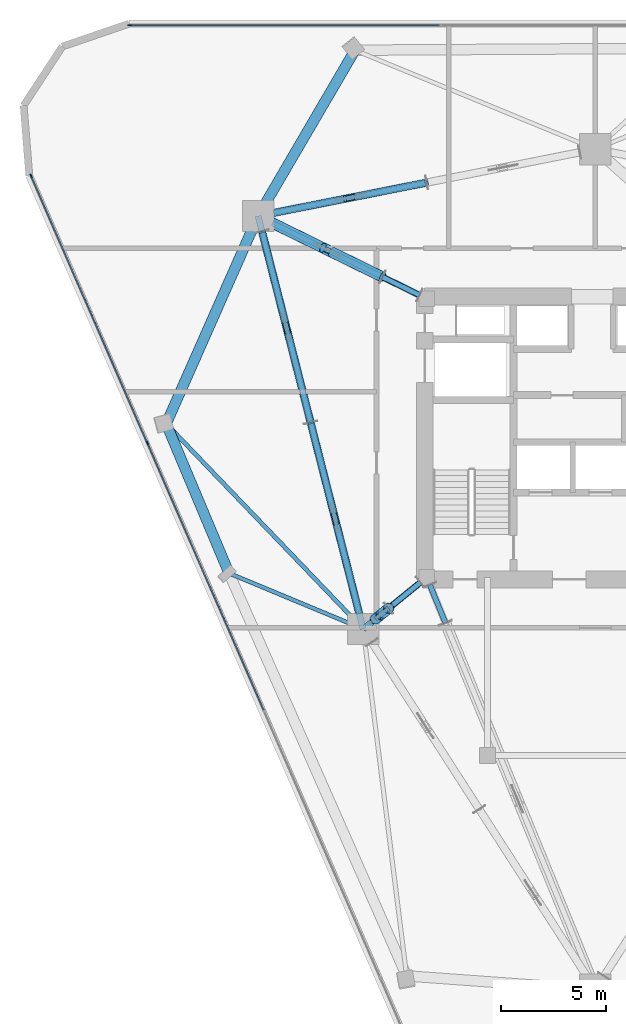
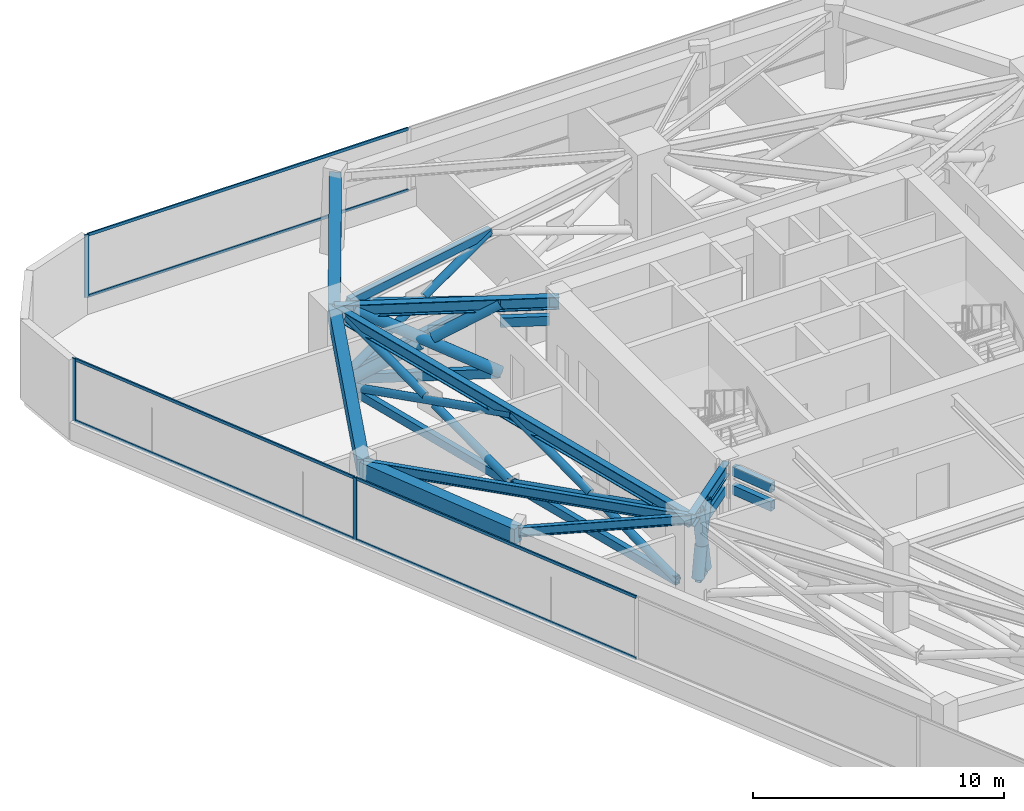
# One storey, part 5 of 13: 40 members, 8 beams, 2 elements without a shape of their own.
"""IFC4 building model written with IfcOpenShell, lengths in metres."""

from ifc_helpers import new_model, si_unit, direction, frame, origin, origin_2d, place, context, subcontext, project, spatial, rectangle, hollow_rectangle, hollow_circle, i_section, extrude, material, layer, layer_set, material_profile, profile_set, type_object, element, aggregate, save


model = new_model("IFC4")

# Units and contexts
model_context = context("Model", 3, precision=1e-05, world=origin(), true_north=direction((0.0, 1.0)))
body_context = subcontext(model_context, "Body", "Model", "MODEL_VIEW")
ifc_project = project(units=[si_unit("LENGTHUNIT", "METRE"), si_unit("AREAUNIT", "SQUARE_METRE"), si_unit("VOLUMEUNIT", "CUBIC_METRE"), si_unit("PLANEANGLEUNIT", "RADIAN"), si_unit("MASSUNIT", "GRAM", prefix="KILO")], contexts=[model_context])

# Site, building, storey
site_placement = place(None, origin())
site = spatial("IfcSite", under=ifc_project, at=site_placement, CompositionType="ELEMENT")
building_placement = place(site_placement, origin())
building = spatial("IfcBuilding", under=site, at=building_placement, Name="Talyreon Biosciences Tower", CompositionType="ELEMENT")
storey_placement = place(building_placement, frame((0.0, 0.0, 171.0)))
storey = spatial("IfcBuildingStorey", under=building, at=storey_placement, Name="L45", CompositionType="ELEMENT", Elevation=171.0)

# Members
ifc_material_1 = material(Name="Steel SM355", Category="steel")
ifc_material_profile_1 = material_profile(ifc_material_1, hollow_circle(Radius=0.177734375, WallThickness=0.01416015625, at=origin_2d()), Name="CHS 355.6x14.2")
ifc_profile_set_1 = profile_set([ifc_material_profile_1], Name="Steel SM355")
member_type_1 = type_object("IfcMemberType", Name="BeltBrace_CHS355", PredefinedType="BRACE", material=ifc_profile_set_1)
member_1_placement = place(storey_placement, frame((57.94873046875, 80.19384765625, 0.239990234375), z_axis=(-0.894142944015, -0.177161259025, 0.411244798105), x_axis=(0.194357006894, -0.980930860903, 0.0)))
element("IfcMember", 1, at=member_1_placement, inside=storey, type_object=member_type_1, Name="L45 Continuous Diagonal BELT-L45-B4S2A", PredefinedType="BRACE", context=body_context, shape_type="SweptSolid", body=[
    extrude(hollow_circle(Radius=0.177734375, WallThickness=0.01416015625, at=origin_2d()), origin(), (0.0, 0.0, 1.0), 8.170654296875),
])
for number, where, z_axis, x_axis, name in (
    (2, (50.64306640625, 78.746337890625, 0.239990234375), (0.894135908253, 0.177146185612, 0.41126658811), (-0.194342566468, 0.98093372195, 0.0), "L45 Split Diagonal BELT-L45-B4S2B-Lower"),
    (3, (54.54638671875, 79.519775390625, 2.03515625), (0.894135908253, 0.177146185612, 0.41126658811), (-0.194342566468, 0.98093372195, 0.0), "L45 Split Diagonal BELT-L45-B4S2B-Upper"),
):
    element("IfcMember", number, at=place(storey_placement, frame(where, z_axis=z_axis, x_axis=x_axis)), inside=storey, type_object=member_type_1, Name=name, PredefinedType="BRACE", context=body_context, shape_type="SweptSolid", body=[
        extrude(hollow_circle(Radius=0.177734375, WallThickness=0.01416015625, at=origin_2d()), origin(), (0.0, 0.0, 1.0), 3.80517578125),
    ])
member_2_placement = place(storey_placement, frame((50.0849609375, 77.8623046875, 0.239990234375), z_axis=(0.232193918339, -0.912727766311, 0.336175562602), x_axis=(0.96913188456, 0.246542877262, 0.0)))
element("IfcMember", 4, at=member_2_placement, inside=storey, type_object=member_type_1, Name="L45 Continuous Diagonal BELT-L45-B5S1A", PredefinedType="BRACE", context=body_context, shape_type="SweptSolid", body=[
    extrude(hollow_circle(Radius=0.177734375, WallThickness=0.01416015625, at=origin_2d()), origin(), (0.0, 0.0, 1.0), 9.9951171875),
])
for number, where, z_axis, x_axis, name in (
    (5, (52.40576171875, 68.739501953125, 0.239990234375), (-0.232205149796, 0.912726148197, 0.336172198145), (-0.969128930664, -0.246554488399, 0.0), "L45 Split Diagonal BELT-L45-B5S1B-Lower"),
    (6, (51.180419921875, 73.556396484375, 2.01416015625), (-0.232205149796, 0.912726148197, 0.336172198145), (-0.969128930664, -0.246554488399, 0.0), "L45 Split Diagonal BELT-L45-B5S1B-Upper"),
):
    element("IfcMember", number, at=place(storey_placement, frame(where, z_axis=z_axis, x_axis=x_axis)), inside=storey, type_object=member_type_1, Name=name, PredefinedType="BRACE", context=body_context, shape_type="SweptSolid", body=[
        extrude(hollow_circle(Radius=0.177734375, WallThickness=0.01416015625, at=origin_2d()), origin(), (0.0, 0.0, 1.0), 4.717529296875),
    ])
member_3_placement = place(storey_placement, frame((52.40576171875, 68.739501953125, 0.239990234375), z_axis=(0.232175985263, -0.912728865371, 0.336184964248), x_axis=(0.969136504924, 0.246524714428, 0.0)))
element("IfcMember", 7, at=member_3_placement, inside=storey, type_object=member_type_1, Name="L45 Continuous Diagonal BELT-L45-B5S2A", PredefinedType="BRACE", context=body_context, shape_type="SweptSolid", body=[
    extrude(hollow_circle(Radius=0.177734375, WallThickness=0.01416015625, at=origin_2d()), origin(), (0.0, 0.0, 1.0), 9.994873046875),
])
member_4_placement = place(storey_placement, frame((54.726318359375, 59.616943359375, 0.239990234375), z_axis=(-0.232167155057, 0.912728476724, 0.336192117532), x_axis=(-0.96913871987, -0.24651600688, 0.0)))
element("IfcMember", 8, at=member_4_placement, inside=storey, type_object=member_type_1, Name="L45 Split Diagonal BELT-L45-B5S2B-Lower", PredefinedType="BRACE", context=body_context, shape_type="SweptSolid", body=[
    extrude(hollow_circle(Radius=0.177734375, WallThickness=0.01416015625, at=origin_2d()), origin(), (0.0, 0.0, 1.0), 4.71728515625),
])
member_5_placement = place(storey_placement, frame((53.501220703125, 64.433837890625, 2.01416015625), z_axis=(-0.23221611828, 0.912717508799, 0.336188077634), x_axis=(-0.969125590119, -0.24656761867, 0.0)))
element("IfcMember", 9, at=member_5_placement, inside=storey, type_object=member_type_1, Name="L45 Split Diagonal BELT-L45-B5S2B-Upper", PredefinedType="BRACE", context=body_context, shape_type="SweptSolid", body=[
    extrude(hollow_circle(Radius=0.177734375, WallThickness=0.01416015625, at=origin_2d()), origin(), (0.0, 0.0, 1.0), 4.717529296875),
])
ifc_material_profile_2 = material_profile(ifc_material_1, hollow_rectangle(XDim=0.25, YDim=0.39990234375, WallThickness=0.01611328125, at=origin_2d()), Name="RHS 400x250x16")
ifc_profile_set_2 = profile_set([ifc_material_profile_2], Name="Steel SM355")
member_type_2 = type_object("IfcMemberType", Name="BeltChord_RHS400x250", PredefinedType="CHORD", material=ifc_profile_set_2)
for number, where, z_axis, x_axis, name in (
    (10, (57.94873046875, 80.19384765625, 0.239990234375), (-0.980930860903, -0.194357006894, 0.0), (0.194357006894, -0.980930860903, 0.0), "L45 Truss Bottom Chord BELT-L45-B4S2"),
    (11, (57.94873046875, 80.19384765625, 3.60009765625), (-0.980930860903, -0.194357006894, 0.0), (0.194357006894, -0.980930860903, 0.0), "L45 Truss Top Chord BELT-L45-B4S2"),
):
    element("IfcMember", number, at=place(storey_placement, frame(where, z_axis=z_axis, x_axis=x_axis)), inside=storey, type_object=member_type_2, Name=name, PredefinedType="CHORD", context=body_context, shape_type="SweptSolid", body=[
        extrude(hollow_rectangle(XDim=0.25, YDim=0.39990234375, WallThickness=0.01611328125, at=origin_2d()), origin(), (0.0, 0.0, 1.0), 7.44775390625),
    ])
for number, where, z_axis, x_axis, name in (
    (12, (50.0849609375, 77.8623046875, 0.239990234375), (0.246542877262, -0.96913188456, 0.0), (0.96913188456, 0.246542877262, 0.0), "L45 Truss Bottom Chord BELT-L45-B5S1"),
    (13, (50.0849609375, 77.8623046875, 3.60009765625), (0.246542877262, -0.96913188456, 0.0), (0.96913188456, 0.246542877262, 0.0), "L45 Truss Top Chord BELT-L45-B5S1"),
):
    element("IfcMember", number, at=place(storey_placement, frame(where, z_axis=z_axis, x_axis=x_axis)), inside=storey, type_object=member_type_2, Name=name, PredefinedType="CHORD", context=body_context, shape_type="SweptSolid", body=[
        extrude(hollow_rectangle(XDim=0.25, YDim=0.39990234375, WallThickness=0.01611328125, at=origin_2d()), origin(), (0.0, 0.0, 1.0), 9.413330078125),
    ])
for number, where, z_axis, x_axis, name in (
    (14, (52.40576171875, 68.739501953125, 0.239990234375), (0.246524714428, -0.969136504924, 0.0), (0.969136504924, 0.246524714428, 0.0), "L45 Truss Bottom Chord BELT-L45-B5S2"),
    (15, (52.40576171875, 68.739501953125, 3.60009765625), (0.246524714428, -0.969136504924, 0.0), (0.969136504924, 0.246524714428, 0.0), "L45 Truss Top Chord BELT-L45-B5S2"),
):
    element("IfcMember", number, at=place(storey_placement, frame(where, z_axis=z_axis, x_axis=x_axis)), inside=storey, type_object=member_type_2, Name=name, PredefinedType="CHORD", context=body_context, shape_type="SweptSolid", body=[
        extrude(hollow_rectangle(XDim=0.25, YDim=0.39990234375, WallThickness=0.01611328125, at=origin_2d()), origin(), (0.0, 0.0, 1.0), 9.4130859375),
    ])

# Curtain wall, members
ifc_material_2 = material(Name="Thermally broken aluminium and low-E glazing", Category="aluminium")
ifc_layer = layer(ifc_material_2, 0.18505859375)
ifc_layer_set = layer_set([ifc_layer], Name="Thermally broken aluminium and low-E glazing")
curtain_wall_type = type_object("IfcCurtainWallType", Name="CurtainWall_Zone3Bioprocess", PredefinedType="NOTDEFINED", material=ifc_layer_set)
curtain_wall_1_placement = place(storey_placement, origin())
curtain_wall_1 = element("IfcCurtainWall", 16, at=curtain_wall_1_placement, inside=storey, type_object=curtain_wall_type, Name="L45 Unitised Curtain Wall FCW-L45-00", PredefinedType="NOTDEFINED")
ifc_material_3 = material(Name="Anodised thermally broken aluminium", Category="aluminium")
ifc_material_profile_3 = material_profile(ifc_material_3, rectangle(XDim=0.06494140625, YDim=0.179931640625, at=origin_2d()), Name="ALUM MULLION 65x180")
ifc_profile_set_3 = profile_set([ifc_material_profile_3], Name="Anodised thermally broken aluminium")
member_type_3 = type_object("IfcMemberType", Name="CWMullion_65x180", PredefinedType="MULLION", material=ifc_profile_set_3)
member_6_placement = place(storey_placement, frame((44.609619140625, 67.762939453125, 0.81005859375), z_axis=(0.0, 0.0, 1.0), x_axis=(-0.916820215501, -0.399300253505, 0.0)))
member_6 = element("IfcMember", 17, at=member_6_placement, type_object=member_type_3, Name="CW4 mullion 4", PredefinedType="MULLION", context=body_context, shape_type="SweptSolid", body=[
    extrude(rectangle(XDim=0.06494140625, YDim=0.179931640625, at=origin_2d()), origin(), (0.0, 0.0, 1.0), 3.0400390625),
])
member_7_placement = place(storey_placement, frame((39.057373046875, 80.511474609375, 0.81005859375), z_axis=(0.0, 0.0, 1.0), x_axis=(-0.916820215501, -0.399300253505, 0.0)))
member_7 = element("IfcMember", 18, at=member_7_placement, type_object=member_type_3, Name="CW4 mullion 5", PredefinedType="MULLION", context=body_context, shape_type="SweptSolid", body=[
    extrude(rectangle(XDim=0.06494140625, YDim=0.179931640625, at=origin_2d()), origin(), (0.0, 0.0, 1.0), 3.0400390625),
])

# Curtain wall, member
curtain_wall_2_placement = place(storey_placement, origin())
curtain_wall_2 = element("IfcCurtainWall", 19, at=curtain_wall_2_placement, inside=storey, type_object=curtain_wall_type, Name="L45 Unitised Curtain Wall FCW-L45-04", PredefinedType="NOTDEFINED")
member_8_placement = place(storey_placement, frame((43.77099609375, 87.705810546875, 0.81005859375), z_axis=(0.0, 0.0, 1.0), x_axis=(0.0, 1.0, 0.0)))
member_8 = element("IfcMember", 20, at=member_8_placement, type_object=member_type_3, Name="CW4 mullion 1", PredefinedType="MULLION", context=body_context, shape_type="SweptSolid", body=[
    extrude(rectangle(XDim=0.06494140625, YDim=0.179931640625, at=origin_2d()), origin(), (0.0, 0.0, 1.0), 3.0400390625),
])

# Member
ifc_material_profile_4 = material_profile(ifc_material_3, rectangle(XDim=0.06494140625, YDim=0.139892578125, at=origin_2d()), Name="ALUM TRANSOM 65x140")
ifc_profile_set_4 = profile_set([ifc_material_profile_4], Name="Anodised thermally broken aluminium")
member_type_4 = type_object("IfcMemberType", Name="CWTransom_65x140", PredefinedType="USERDEFINED", material=ifc_profile_set_4)
member_9_placement = place(storey_placement, frame((50.162109375, 55.01416015625, 0.842529296875), z_axis=(-0.399311623344, 0.916815263541, 0.0), x_axis=(-0.916815263541, -0.399311623344, 0.0)))
member_9 = element("IfcMember", 21, at=member_9_placement, type_object=member_type_4, Name="CW4 transom 3.1", ObjectType="TRANSOM", PredefinedType="USERDEFINED", context=body_context, shape_type="SweptSolid", body=[
    extrude(rectangle(XDim=0.06494140625, YDim=0.139892578125, at=origin_2d()), origin(), (0.0, 0.0, 1.0), 13.872802734375),
])

member_10_placement = place(storey_placement, frame((50.162109375, 55.01416015625, 3.8173828125), z_axis=(-0.399311623344, 0.916815263541, 0.0), x_axis=(-0.916815263541, -0.399311623344, 0.0)))
member_10 = element("IfcMember", 22, at=member_10_placement, type_object=member_type_4, Name="CW4 transom 3.2", ObjectType="TRANSOM", PredefinedType="USERDEFINED", context=body_context, shape_type="SweptSolid", body=[
    extrude(rectangle(XDim=0.06494140625, YDim=0.139892578125, at=origin_2d()), origin(), (0.0, 0.0, 1.0), 13.872802734375),
])

member_11_placement = place(storey_placement, frame((44.5966796875, 67.792724609375, 0.842529296875), z_axis=(-0.399298814497, 0.916820842227, 0.0), x_axis=(-0.916820842227, -0.399298814497, 0.0)))
member_11 = element("IfcMember", 23, at=member_11_placement, type_object=member_type_4, Name="CW4 transom 4.1", ObjectType="TRANSOM", PredefinedType="USERDEFINED", context=body_context, shape_type="SweptSolid", body=[
    extrude(rectangle(XDim=0.06494140625, YDim=0.139892578125, at=origin_2d()), origin(), (0.0, 0.0, 1.0), 13.840087890625),
])

member_12_placement = place(storey_placement, frame((44.5966796875, 67.792724609375, 3.8173828125), z_axis=(-0.399298814497, 0.916820842227, 0.0), x_axis=(-0.916820842227, -0.399298814497, 0.0)))
member_12 = element("IfcMember", 24, at=member_12_placement, type_object=member_type_4, Name="CW4 transom 4.2", ObjectType="TRANSOM", PredefinedType="USERDEFINED", context=body_context, shape_type="SweptSolid", body=[
    extrude(rectangle(XDim=0.06494140625, YDim=0.139892578125, at=origin_2d()), origin(), (0.0, 0.0, 1.0), 13.840087890625),
])

aggregate(curtain_wall_1, [member_6, member_7, member_9, member_10, member_11, member_12])

member_13_placement = place(storey_placement, frame((43.803466796875, 87.705810546875, 0.842529296875), z_axis=(1.0, 0.0, 0.0), x_axis=(0.0, 1.0, 0.0)))
member_13 = element("IfcMember", 25, at=member_13_placement, type_object=member_type_4, Name="CW4 transom 1.1", ObjectType="TRANSOM", PredefinedType="USERDEFINED", context=body_context, shape_type="SweptSolid", body=[
    extrude(rectangle(XDim=0.06494140625, YDim=0.139892578125, at=origin_2d()), origin(), (0.0, 0.0, 1.0), 14.74365234375),
])

member_14_placement = place(storey_placement, frame((43.803466796875, 87.705810546875, 3.8173828125), z_axis=(1.0, 0.0, 0.0), x_axis=(0.0, 1.0, 0.0)))
member_14 = element("IfcMember", 26, at=member_14_placement, type_object=member_type_4, Name="CW4 transom 1.2", ObjectType="TRANSOM", PredefinedType="USERDEFINED", context=body_context, shape_type="SweptSolid", body=[
    extrude(rectangle(XDim=0.06494140625, YDim=0.139892578125, at=origin_2d()), origin(), (0.0, 0.0, 1.0), 14.74365234375),
])

aggregate(curtain_wall_2, [member_8, member_13, member_14])

# Beams
ifc_material_4 = material(Name="Precast concrete C45/55", Category="concrete")
ifc_material_profile_5 = material_profile(ifc_material_4, rectangle(XDim=0.5, YDim=0.780029296875, at=origin_2d()), Name="RCB 500x780")
ifc_profile_set_5 = profile_set([ifc_material_profile_5], Name="Precast concrete C45/55")
beam_type_1 = type_object("IfcBeamType", Name="ExpressedSpandrel_500x780", PredefinedType="SPANDREL", material=ifc_profile_set_5)
beam_1_placement = place(storey_placement, frame((54.52197265625, 86.513427734375, 3.4599609375), z_axis=(-0.504465399351, -0.86343190864, 0.0), x_axis=(0.86343190864, -0.504465399351, 0.0)))
element("IfcBeam", 27, at=beam_1_placement, inside=storey, type_object=beam_type_1, Name="L45 Expressed Horizontal Concrete Spandrel 08", PredefinedType="SPANDREL", context=body_context, shape_type="SweptSolid", body=[
    extrude(rectangle(XDim=0.5, YDim=0.780029296875, at=origin_2d()), origin(), (0.0, 0.0, 1.0), 9.166748046875),
])
beam_2_placement = place(storey_placement, frame((49.897705078125, 78.5986328125, 3.4599609375), z_axis=(-0.404481392279, -0.914546228082, 0.0), x_axis=(0.914546228082, -0.404481392279, 0.0)))
element("IfcBeam", 28, at=beam_2_placement, inside=storey, type_object=beam_type_1, Name="L45 Expressed Horizontal Concrete Spandrel 09", PredefinedType="SPANDREL", context=body_context, shape_type="SweptSolid", body=[
    extrude(rectangle(XDim=0.5, YDim=0.780029296875, at=origin_2d()), origin(), (0.0, 0.0, 1.0), 10.8447265625),
])
beam_3_placement = place(storey_placement, frame((45.51123046875, 68.6806640625, 3.4599609375), z_axis=(0.387343468641, -0.921935484349, 0.0), x_axis=(0.921935484349, 0.387343468641, 0.0)))
element("IfcBeam", 29, at=beam_3_placement, inside=storey, type_object=beam_type_1, Name="L45 Expressed Horizontal Concrete Spandrel 10", PredefinedType="SPANDREL", context=body_context, shape_type="SweptSolid", body=[
    extrude(rectangle(XDim=0.5, YDim=0.780029296875, at=origin_2d()), origin(), (0.0, 0.0, 1.0), 7.7412109375),
])

# Members
ifc_material_profile_6 = material_profile(ifc_material_1, hollow_circle(Radius=0.25390625, WallThickness=0.02001953125, at=origin_2d()), Name="CHS 508x20")
ifc_profile_set_6 = profile_set([ifc_material_profile_6], Name="Steel SM355")
member_type_5 = type_object("IfcMemberType", Name="OutriggerBrace_CHS508", PredefinedType="BRACE", material=ifc_profile_set_6)
member_15_placement = place(storey_placement, frame((55.840087890625, 75.684814453125, 0.239990234375), z_axis=(-0.778845868979, 0.38192186613, 0.497528693189), x_axis=(-0.440282388791, -0.897859353195, 0.0)))
element("IfcMember", 30, at=member_15_placement, inside=storey, type_object=member_type_5, Name="L45 Continuous Diagonal OUT-L45-R5A", PredefinedType="BRACE", context=body_context, shape_type="SweptSolid", body=[
    extrude(hollow_circle(Radius=0.25390625, WallThickness=0.02001953125, at=origin_2d()), origin(), (0.0, 0.0, 1.0), 6.753662109375),
])
for number, where, z_axis, x_axis, name in (
    (31, (50.580078125, 78.26416015625, 0.239990234375), (0.778822500296, -0.381961232304, 0.497535054091), (0.440329622374, 0.89783618977, 0.0), "L45 Split Diagonal OUT-L45-R5B-Lower"),
    (32, (53.427978515625, 76.867431640625, 2.059326171875), (0.778876963264, -0.381870446361, 0.49751948534), (0.440220431574, 0.897889732442, 0.0), "L45 Split Diagonal OUT-L45-R5B-Upper"),
):
    element("IfcMember", number, at=place(storey_placement, frame(where, z_axis=z_axis, x_axis=x_axis)), inside=storey, type_object=member_type_5, Name=name, PredefinedType="BRACE", context=body_context, shape_type="SweptSolid", body=[
        extrude(hollow_circle(Radius=0.25390625, WallThickness=0.02001953125, at=origin_2d()), origin(), (0.0, 0.0, 1.0), 3.096923828125),
    ])
member_16_placement = place(storey_placement, frame((56.126953125, 59.8671875, 0.239990234375), z_axis=(-0.180479144979, -0.14677180271, 0.972566355657), x_axis=(0.630935647807, -0.775835168271, 0.0)))
element("IfcMember", 33, at=member_16_placement, inside=storey, type_object=member_type_5, Name="L45 Continuous Diagonal OUT-L45-R6A", PredefinedType="BRACE", context=body_context, shape_type="SweptSolid", body=[
    extrude(hollow_circle(Radius=0.25390625, WallThickness=0.02001953125, at=origin_2d()), origin(), (0.0, 0.0, 1.0), 3.454833984375),
])
for number, where, z_axis, x_axis, name in (
    (34, (55.50341796875, 59.360107421875, 0.239990234375), (0.180480395429, 0.146745742077, 0.972570056113), (-0.630865577275, 0.775892146764, 0.0), "L45 Split Diagonal OUT-L45-R6B-Lower"),
    (35, (55.86572265625, 59.65478515625, 2.1923828125), (0.180480395429, 0.146745742077, 0.972570056113), (-0.630865577275, 0.775892146764, 0.0), "L45 Split Diagonal OUT-L45-R6B-Upper"),
):
    element("IfcMember", number, at=place(storey_placement, frame(where, z_axis=z_axis, x_axis=x_axis)), inside=storey, type_object=member_type_5, Name=name, PredefinedType="BRACE", context=body_context, shape_type="SweptSolid", body=[
        extrude(hollow_circle(Radius=0.25390625, WallThickness=0.02001953125, at=origin_2d()), origin(), (0.0, 0.0, 1.0), 1.447509765625),
    ])
ifc_material_profile_7 = material_profile(ifc_material_1, hollow_rectangle(XDim=0.25, YDim=0.449951171875, WallThickness=0.01611328125, at=origin_2d()), Name="RHS 450x250x16")
ifc_profile_set_7 = profile_set([ifc_material_profile_7], Name="Steel SM355")
member_type_6 = type_object("IfcMemberType", Name="OutriggerChord_RHS450x250", PredefinedType="CHORD", material=ifc_profile_set_7)
for number, where, z_axis, x_axis, name in (
    (36, (58.095703125, 60.99365234375, 3.60009765625), (0.378555442562, -0.925578617356, 0.0), (0.925578617356, 0.378555442562, 0.0), "L45 Outrigger Core Top Tie 1"),
    (37, (58.095703125, 60.99365234375, 2.699951171875), (0.378555442562, -0.925578617356, 0.0), (0.925578617356, 0.378555442562, 0.0), "L45 Outrigger Core Plenum Tie 1"),
):
    element("IfcMember", number, at=place(storey_placement, frame(where, z_axis=z_axis, x_axis=x_axis)), inside=storey, type_object=member_type_6, Name=name, PredefinedType="CHORD", context=body_context, shape_type="SweptSolid", body=[
        extrude(hollow_rectangle(XDim=0.25, YDim=0.449951171875, WallThickness=0.01611328125, at=origin_2d()), origin(), (0.0, 0.0, 1.0), 1.965087890625),
    ])
for number, where, z_axis, x_axis, name in (
    (38, (57.604248046875, 74.819580078125, 3.60009765625), (-0.897830193079, 0.44034184947, 0.0), (-0.44034184947, -0.897830193079, 0.0), "L45 Outrigger Core Top Tie 5"),
    (39, (57.604248046875, 74.819580078125, 2.699951171875), (-0.897830193079, 0.44034184947, 0.0), (-0.44034184947, -0.897830193079, 0.0), "L45 Outrigger Core Plenum Tie 5"),
):
    element("IfcMember", number, at=place(storey_placement, frame(where, z_axis=z_axis, x_axis=x_axis)), inside=storey, type_object=member_type_6, Name=name, PredefinedType="CHORD", context=body_context, shape_type="SweptSolid", body=[
        extrude(hollow_rectangle(XDim=0.25, YDim=0.449951171875, WallThickness=0.01611328125, at=origin_2d()), origin(), (0.0, 0.0, 1.0), 1.96484375),
    ])
for number, where, z_axis, x_axis, name in (
    (40, (55.840087890625, 75.684814453125, 0.239990234375), (-0.897859353195, 0.440282388791, 0.0), (-0.440282388791, -0.897859353195, 0.0), "L45 Truss Bottom Chord OUT-L45-R5"),
    (41, (55.840087890625, 75.684814453125, 3.60009765625), (-0.897859353195, 0.440282388791, 0.0), (-0.440282388791, -0.897859353195, 0.0), "L45 Truss Top Chord OUT-L45-R5"),
):
    element("IfcMember", number, at=place(storey_placement, frame(where, z_axis=z_axis, x_axis=x_axis)), inside=storey, type_object=member_type_6, Name=name, PredefinedType="CHORD", context=body_context, shape_type="SweptSolid", body=[
        extrude(hollow_rectangle(XDim=0.25, YDim=0.449951171875, WallThickness=0.01611328125, at=origin_2d()), origin(), (0.0, 0.0, 1.0), 5.8583984375),
    ])
for number, where, z_axis, x_axis, name in (
    (42, (57.6513671875, 61.107177734375, 3.60009765625), (-0.775764250479, -0.631022842438, 0.0), (0.631022842438, -0.775764250479, 0.0), "L45 Outrigger Core Top Tie 6"),
    (43, (57.6513671875, 61.107177734375, 2.699951171875), (-0.775764250479, -0.631022842438, 0.0), (0.631022842438, -0.775764250479, 0.0), "L45 Outrigger Core Plenum Tie 6"),
):
    element("IfcMember", number, at=place(storey_placement, frame(where, z_axis=z_axis, x_axis=x_axis)), inside=storey, type_object=member_type_6, Name=name, PredefinedType="CHORD", context=body_context, shape_type="SweptSolid", body=[
        extrude(hollow_rectangle(XDim=0.25, YDim=0.449951171875, WallThickness=0.01611328125, at=origin_2d()), origin(), (0.0, 0.0, 1.0), 1.965087890625),
    ])
for number, where, z_axis, x_axis, name in (
    (44, (56.126953125, 59.8671875, 0.239990234375), (-0.775835168271, -0.630935647807, 0.0), (0.630935647807, -0.775835168271, 0.0), "L45 Truss Bottom Chord OUT-L45-R6"),
    (45, (56.126953125, 59.8671875, 3.60009765625), (-0.775835168271, -0.630935647807, 0.0), (0.630935647807, -0.775835168271, 0.0), "L45 Truss Top Chord OUT-L45-R6"),
):
    element("IfcMember", number, at=place(storey_placement, frame(where, z_axis=z_axis, x_axis=x_axis)), inside=storey, type_object=member_type_6, Name=name, PredefinedType="CHORD", context=body_context, shape_type="SweptSolid", body=[
        extrude(hollow_rectangle(XDim=0.25, YDim=0.449951171875, WallThickness=0.01611328125, at=origin_2d()), origin(), (0.0, 0.0, 1.0), 0.8037109375),
    ])

# Beams
ifc_material_profile_8 = material_profile(ifc_material_1, i_section(OverallWidth=0.300048828125, OverallDepth=0.60009765625, WebThickness=0.015380859375, FlangeThickness=0.030029296875, FilletRadius=0.027099609375, at=origin_2d()), Name="HE600B")
ifc_profile_set_8 = profile_set([ifc_material_profile_8], Name="Steel SM355")
beam_type_2 = type_object("IfcBeamType", Name="SteelBeam_HE600B", PredefinedType="BEAM", material=ifc_profile_set_8)
beam_4_placement = place(storey_placement, frame((49.897705078125, 78.5986328125, 3.550048828125), z_axis=(0.246537082299, -0.969133358755, 0.0), x_axis=(0.969133358755, 0.246537082299, 0.0)))
element("IfcBeam", 46, at=beam_4_placement, inside=storey, type_object=beam_type_2, Name="L45 Mega-Ring Girder 5", PredefinedType="BEAM", context=body_context, shape_type="SweptSolid", body=[
    extrude(i_section(OverallWidth=0.300048828125, OverallDepth=0.60009765625, WebThickness=0.015380859375, FlangeThickness=0.030029296875, FilletRadius=0.027099609375, at=origin_2d()), origin(), (0.0, 0.0, 1.0), 20.34619140625),
])
beam_5_placement = place(storey_placement, frame((57.949951171875, 74.64990234375, 3.550048828125), z_axis=(-0.897852360314, 0.440296648952, 0.0), x_axis=(-0.440296648952, -0.897852360314, 0.0)))
element("IfcBeam", 47, at=beam_5_placement, inside=storey, type_object=beam_type_2, Name="L45 Radial Primary Girder 5", PredefinedType="BEAM", context=body_context, shape_type="SweptSolid", body=[
    extrude(i_section(OverallWidth=0.300048828125, OverallDepth=0.60009765625, WebThickness=0.015380859375, FlangeThickness=0.030029296875, FilletRadius=0.027099609375, at=origin_2d()), origin(), (0.0, 0.0, 1.0), 8.96826171875),
])
beam_6_placement = place(storey_placement, frame((57.949951171875, 61.35009765625, 3.550048828125), z_axis=(-0.775755154013, -0.631034025249, 0.0), x_axis=(0.631034025249, -0.775755154013, 0.0)))
element("IfcBeam", 48, at=beam_6_placement, inside=storey, type_object=beam_type_2, Name="L45 Radial Primary Girder 6", PredefinedType="BEAM", context=body_context, shape_type="SweptSolid", body=[
    extrude(i_section(OverallWidth=0.300048828125, OverallDepth=0.60009765625, WebThickness=0.015380859375, FlangeThickness=0.030029296875, FilletRadius=0.027099609375, at=origin_2d()), origin(), (0.0, 0.0, 1.0), 3.913818359375),
])
ifc_material_profile_9 = material_profile(ifc_material_1, i_section(OverallWidth=0.18994140625, OverallDepth=0.449951171875, WebThickness=0.009521484375, FlangeThickness=0.0146484375, FilletRadius=0.02099609375, at=origin_2d()), Name="IPE450")
ifc_profile_set_9 = profile_set([ifc_material_profile_9], Name="Steel SM355")
beam_type_3 = type_object("IfcBeamType", Name="SteelJoist_IPE450", PredefinedType="JOIST", material=ifc_profile_set_9)
beam_7_placement = place(storey_placement, frame((54.913818359375, 58.88037109375, 3.625), z_axis=(-0.923333948167, 0.383997942913, 0.0), x_axis=(-0.383997942913, -0.923333948167, 0.0)))
element("IfcBeam", 49, at=beam_7_placement, inside=storey, type_object=beam_type_3, Name="L45 Radial Composite Floor Joist PL-SW", PredefinedType="JOIST", context=body_context, shape_type="SweptSolid", body=[
    extrude(i_section(OverallWidth=0.18994140625, OverallDepth=0.449951171875, WebThickness=0.009521484375, FlangeThickness=0.0146484375, FilletRadius=0.02099609375, at=origin_2d()), origin(), (0.0, 0.0, 1.0), 6.935791015625),
])
ifc_material_profile_10 = material_profile(ifc_material_1, i_section(OverallWidth=0.199951171875, OverallDepth=0.5, WebThickness=0.01025390625, FlangeThickness=0.01611328125, FilletRadius=0.02099609375, at=origin_2d()), Name="IPE500")
ifc_profile_set_10 = profile_set([ifc_material_profile_10], Name="Steel SM355")
beam_type_4 = type_object("IfcBeamType", Name="SteelJoist_IPE500", PredefinedType="JOIST", material=ifc_profile_set_10)
beam_8_placement = place(storey_placement, frame((54.913818359375, 58.88037109375, 3.60009765625), z_axis=(-0.69231364357, 0.721596714881, 0.0), x_axis=(-0.721596714881, -0.69231364357, 0.0)))
element("IfcBeam", 50, at=beam_8_placement, inside=storey, type_object=beam_type_4, Name="L45 Radial Composite Floor Joist PC-SW1", PredefinedType="JOIST", context=body_context, shape_type="SweptSolid", body=[
    extrude(i_section(OverallWidth=0.199951171875, OverallDepth=0.5, WebThickness=0.01025390625, FlangeThickness=0.01611328125, FilletRadius=0.02099609375, at=origin_2d()), origin(), (0.0, 0.0, 1.0), 13.581298828125),
])

save(model, "model.ifc")
